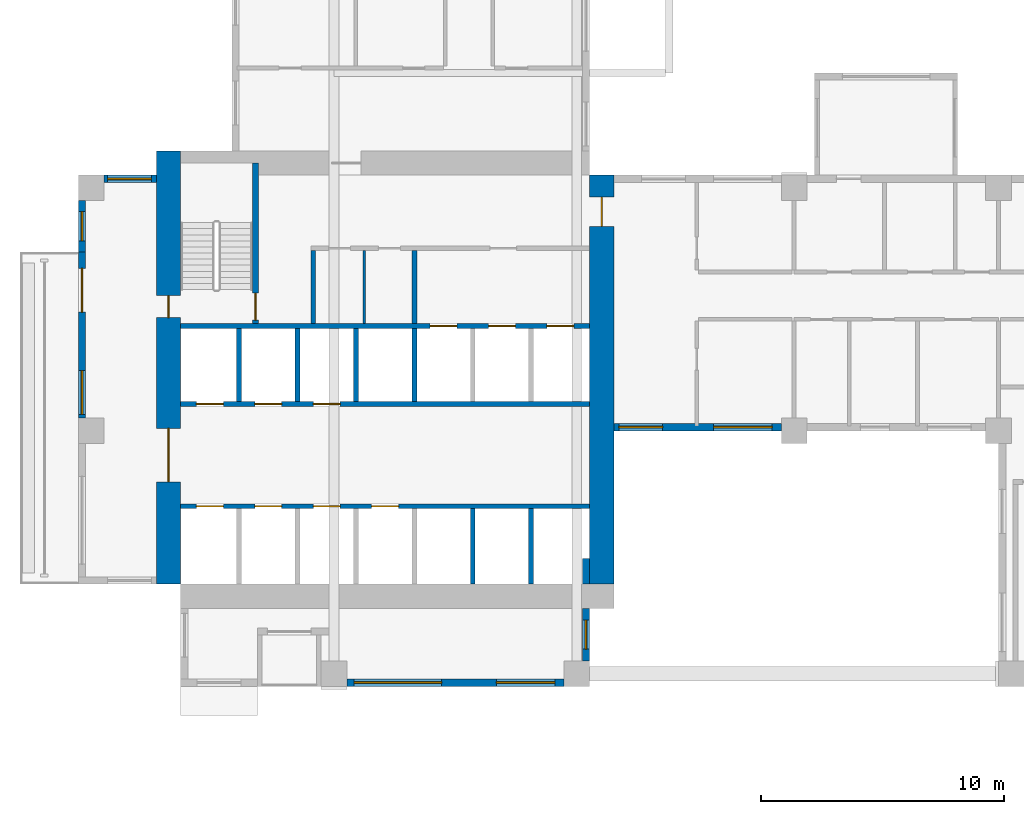
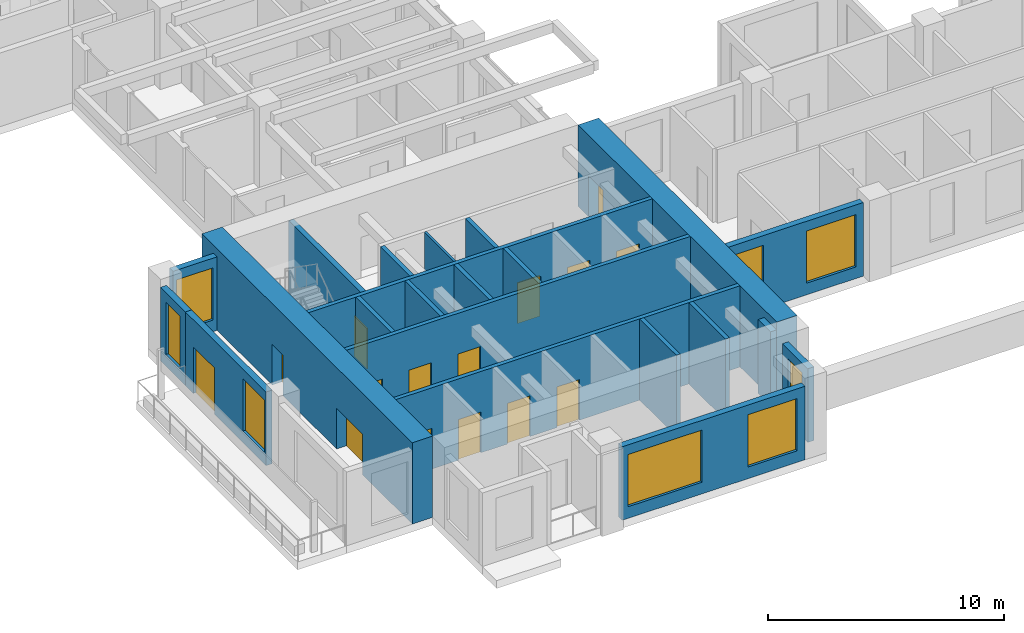
# One storey, part 2 of 14: 22 walls, 15 doors, 8 windows, 23 openings.
"""IFC4 building model written with IfcOpenShell, lengths in metres."""

from ifc_helpers import new_model, si_unit, direction, frame, frame_2d, origin, place, context, subcontext, project, spatial, rectangle, extrude, source, transform, mapped, material, layer, layer_set, type_object, element, fill, save


model = new_model("IFC4")

# Units and contexts
model_context = context("Model", 3, precision=1e-05, world=origin(), true_north=direction((0.0, 1.0)))
body_context = subcontext(model_context, "Body", "Model", "MODEL_VIEW")
ifc_project = project(units=[si_unit("LENGTHUNIT", "METRE"), si_unit("AREAUNIT", "SQUARE_METRE"), si_unit("VOLUMEUNIT", "CUBIC_METRE"), si_unit("PLANEANGLEUNIT", "RADIAN"), si_unit("MASSUNIT", "GRAM", prefix="KILO")], contexts=[model_context])

# Site, building, storey
site_placement = place(None, origin())
site = spatial("IfcSite", under=ifc_project, at=site_placement, CompositionType="ELEMENT")
building_placement = place(site_placement, origin())
building = spatial("IfcBuilding", under=site, at=building_placement, Name="Aurelian Terraces", CompositionType="ELEMENT")
storey_placement = place(building_placement, frame((0.0, 0.0, 103.5)))
storey = spatial("IfcBuildingStorey", under=building, at=storey_placement, Name="L22", CompositionType="ELEMENT", Elevation=103.5)

# Wall, openings, doors
ifc_material_1 = material(Name="Concrete fc' 83 MPa", Category="concrete")
ifc_layer_1 = layer(ifc_material_1, 1.0)
ifc_layer_set_1 = layer_set([ifc_layer_1], Name="CORE WALL 1000 FC83")
wall_type_1 = type_object("IfcWallType", Name="CORE WALL 1000 FC83", PredefinedType="SHEAR", material=ifc_layer_set_1)
wall_1_placement = place(storey_placement, frame((3.7, 4.2, 0.0), z_axis=(0.0, 0.0, 1.0), x_axis=(0.0, 1.0, 0.0)))
wall_1 = element("IfcWall", 1, at=wall_1_placement, inside=storey, type_object=wall_type_1, Name="Core wall W L22", PredefinedType="SHEAR", context=body_context, shape_type="SweptSolid", body=[
    extrude(rectangle(XDim=17.8, YDim=1.0, at=frame_2d((8.9, 0.0))), origin(), (0.0, 0.0, 1.0), 4.2),
])
opening_1_placement = place(wall_1_placement, frame((4.2, 0.0, 0.0)))
opening_1 = element("IfcOpeningElement", 2, at=opening_1_placement, cuts=wall_1, Name="Opening 62520", PredefinedType="OPENING", context=body_context, shape_type="SweptSolid", body=[
    extrude(rectangle(XDim=2.2, YDim=2.1, at=frame_2d((1.1, 1.05))), frame((0.0, 0.51, 0.0), z_axis=(0.0, -1.0, 0.0), x_axis=(1.0, 0.0, 0.0)), (0.0, 0.0, 1.0), 1.02),
])
opening_2_placement = place(wall_1_placement, frame((10.95, 0.0, 0.0)))
opening_2 = element("IfcOpeningElement", 3, at=opening_2_placement, cuts=wall_1, Name="Opening 62523", PredefinedType="OPENING", context=body_context, shape_type="SweptSolid", body=[
    extrude(rectangle(XDim=0.9, YDim=2.1, at=frame_2d((0.45, 1.05))), frame((0.0, 0.51, 0.0), z_axis=(0.0, -1.0, 0.0), x_axis=(1.0, 0.0, 0.0)), (0.0, 0.0, 1.0), 1.02),
])
ifc_material_2 = material(Name="Steel door leaf", Category="steel")
door_type_1 = type_object("IfcDoorType", Name="Core service door 900x2100", OperationType="SINGLE_SWING_LEFT", PredefinedType="DOOR", material=ifc_material_2)
shared_shape_1 = source(origin(), body_context, "Body", "SweptSolid", [
    extrude(rectangle(XDim=0.9, YDim=2.1, at=frame_2d((0.45, 1.05))), frame((0.0, 0.025, 0.0), z_axis=(0.0, -1.0, 0.0), x_axis=(1.0, 0.0, 0.0)), (0.0, 0.0, 1.0), 0.05),
])
door_1_placement = place(opening_2_placement, origin())
door_1 = element("IfcDoor", 4, at=door_1_placement, inside=storey, type_object=door_type_1, Name="Core door 62523", OperationType="SINGLE_SWING_LEFT", OverallHeight=2.1, OverallWidth=0.9, PredefinedType="DOOR", context=body_context, shape_type="MappedRepresentation", body=[
    mapped(shared_shape_1, transform((0.0, 0.0, 0.0), scale=1.0)),
])
fill(opening_2, door_1)
door_type_2 = type_object("IfcDoorType", Name="Core double door 2200x2100", OperationType="DOUBLE_DOOR_SINGLE_SWING", PredefinedType="DOOR", material=ifc_material_2)
shared_shape_2 = source(origin(), body_context, "Body", "SweptSolid", [
    extrude(rectangle(XDim=2.2, YDim=2.1, at=frame_2d((1.1, 1.05))), frame((0.0, 0.025, 0.0), z_axis=(0.0, -1.0, 0.0), x_axis=(1.0, 0.0, 0.0)), (0.0, 0.0, 1.0), 0.05),
])
door_2_placement = place(opening_1_placement, origin())
door_2 = element("IfcDoor", 5, at=door_2_placement, inside=storey, type_object=door_type_2, Name="Core door 62520", OperationType="DOUBLE_DOOR_SINGLE_SWING", OverallHeight=2.1, OverallWidth=2.2, PredefinedType="DOOR", context=body_context, shape_type="MappedRepresentation", body=[
    mapped(shared_shape_2, transform((0.0, 0.0, 0.0), scale=1.0)),
])
fill(opening_1, door_2)

# Wall, opening, door
wall_2_placement = place(storey_placement, frame((21.5, 4.2, 0.0), z_axis=(0.0, 0.0, 1.0), x_axis=(0.0, 1.0, 0.0)))
wall_2 = element("IfcWall", 6, at=wall_2_placement, inside=storey, type_object=wall_type_1, Name="Core wall E L22", PredefinedType="SHEAR", context=body_context, shape_type="SweptSolid", body=[
    extrude(rectangle(XDim=16.8, YDim=1.0, at=frame_2d((8.4, 0.0))), origin(), (0.0, 0.0, 1.0), 4.2),
])
shared_shape_3 = source(origin(), body_context, "Body", "SweptSolid", [
    extrude(rectangle(XDim=1.2, YDim=2.1, at=frame_2d((0.6, 1.05))), frame((0.0, 0.51, 0.0), z_axis=(0.0, -1.0, 0.0), x_axis=(1.0, 0.0, 0.0)), (0.0, 0.0, 1.0), 1.02),
])
opening_3_placement = place(wall_2_placement, frame((14.7, 0.0, 0.0)))
opening_3 = element("IfcOpeningElement", 7, at=opening_3_placement, cuts=wall_2, Name="Opening 62522", PredefinedType="OPENING", context=body_context, shape_type="MappedRepresentation", body=[
    mapped(shared_shape_3, transform((0.0, 0.0, 0.0), scale=1.0)),
])
door_type_3 = type_object("IfcDoorType", Name="Core fire door 1200x2100 right", OperationType="SINGLE_SWING_RIGHT", PredefinedType="DOOR", material=ifc_material_2)
shared_shape_4 = source(origin(), body_context, "Body", "SweptSolid", [
    extrude(rectangle(XDim=1.2, YDim=2.1, at=frame_2d((0.6, 1.05))), frame((0.0, 0.025, 0.0), z_axis=(0.0, -1.0, 0.0), x_axis=(1.0, 0.0, 0.0)), (0.0, 0.0, 1.0), 0.05),
])
door_3_placement = place(opening_3_placement, origin())
door_3 = element("IfcDoor", 8, at=door_3_placement, inside=storey, type_object=door_type_3, Name="Core door 62522", OperationType="SINGLE_SWING_RIGHT", OverallHeight=2.1, OverallWidth=1.2, PredefinedType="DOOR", context=body_context, shape_type="MappedRepresentation", body=[
    mapped(shared_shape_4, transform((0.0, 0.0, 0.0), scale=1.0)),
])
fill(opening_3, door_3)

# Wall, openings, windows
ifc_material_3 = material(Name="Terracotta rainscreen cladding", Category="masonry")
ifc_layer_2 = layer(ifc_material_3, 0.3)
ifc_layer_set_2 = layer_set([ifc_layer_2], Name="EW-300")
wall_type_2 = type_object("IfcWallType", Name="EW-300", PredefinedType="STANDARD", material=ifc_layer_set_2)
wall_3_placement = place(storey_placement, frame((11.025, 0.15, 0.0), z_axis=(0.0, 0.0, 1.0), x_axis=(1.0, 0.0, 0.0)))
wall_3 = element("IfcWall", 9, at=wall_3_placement, inside=storey, type_object=wall_type_2, Name="External wall L22 F01.3", PredefinedType="STANDARD", context=body_context, shape_type="SweptSolid", body=[
    extrude(rectangle(XDim=8.925, YDim=0.3, at=frame_2d((4.4625, 0.0))), origin(), (0.0, 0.0, 1.0), 3.8),
])
shared_shape_5 = source(origin(), body_context, "Body", "SweptSolid", [
    extrude(rectangle(XDim=3.6, YDim=2.7, at=frame_2d((1.8, 1.35))), frame((0.0, 0.16, 0.0), z_axis=(0.0, -1.0, 0.0), x_axis=(1.0, 0.0, 0.0)), (0.0, 0.0, 1.0), 0.32),
])
opening_4_placement = place(wall_3_placement, frame((0.3, 0.0, 0.6)))
opening_4 = element("IfcOpeningElement", 10, at=opening_4_placement, cuts=wall_3, Name="Opening W3627", PredefinedType="OPENING", context=body_context, shape_type="MappedRepresentation", body=[
    mapped(shared_shape_5, transform((0.0, 0.0, 0.0), scale=1.0)),
])
shared_shape_6 = source(origin(), body_context, "Body", "SweptSolid", [
    extrude(rectangle(XDim=2.4, YDim=2.7, at=frame_2d((1.2, 1.35))), frame((0.0, 0.16, 0.0), z_axis=(0.0, -1.0, 0.0), x_axis=(1.0, 0.0, 0.0)), (0.0, 0.0, 1.0), 0.32),
])
opening_5_placement = place(wall_3_placement, frame((6.15, 0.0, 0.6)))
opening_5 = element("IfcOpeningElement", 11, at=opening_5_placement, cuts=wall_3, Name="Opening W2427", PredefinedType="OPENING", context=body_context, shape_type="MappedRepresentation", body=[
    mapped(shared_shape_6, transform((0.0, 0.0, 0.0), scale=1.0)),
])
ifc_material_4 = material(Name="Clear glazing", Category="glass")
window_type_1 = type_object("IfcWindowType", Name="W-3600x2700", PartitioningType="SINGLE_PANEL", PredefinedType="WINDOW", material=ifc_material_4)
shared_shape_7 = source(origin(), body_context, "Body", "SweptSolid", [
    extrude(rectangle(XDim=3.6, YDim=2.7, at=frame_2d((1.8, 1.35))), frame((0.0, 0.03, 0.0), z_axis=(0.0, -1.0, 0.0), x_axis=(1.0, 0.0, 0.0)), (0.0, 0.0, 1.0), 0.06),
])
window_1_placement = place(opening_4_placement, origin())
window_1 = element("IfcWindow", 12, at=window_1_placement, inside=storey, type_object=window_type_1, Name="Window L22 L22-F01-03-0", OverallHeight=2.7, OverallWidth=3.6, PartitioningType="SINGLE_PANEL", PredefinedType="WINDOW", context=body_context, shape_type="MappedRepresentation", body=[
    mapped(shared_shape_7, transform((0.0, 0.0, 0.0), scale=1.0)),
])
fill(opening_4, window_1)
window_type_2 = type_object("IfcWindowType", Name="W-2400x2700", PartitioningType="SINGLE_PANEL", PredefinedType="WINDOW", material=ifc_material_4)
shared_shape_8 = source(origin(), body_context, "Body", "SweptSolid", [
    extrude(rectangle(XDim=2.4, YDim=2.7, at=frame_2d((1.2, 1.35))), frame((0.0, 0.03, 0.0), z_axis=(0.0, -1.0, 0.0), x_axis=(1.0, 0.0, 0.0)), (0.0, 0.0, 1.0), 0.06),
])
window_2_placement = place(opening_5_placement, origin())
window_2 = element("IfcWindow", 13, at=window_2_placement, inside=storey, type_object=window_type_2, Name="Window L22 L22-F01-03-1", OverallHeight=2.7, OverallWidth=2.4, PartitioningType="SINGLE_PANEL", PredefinedType="WINDOW", context=body_context, shape_type="MappedRepresentation", body=[
    mapped(shared_shape_8, transform((0.0, 0.0, 0.0), scale=1.0)),
])
fill(opening_5, window_2)

# Wall, opening, window
wall_4_placement = place(storey_placement, frame((20.85, 1.05, 0.0), z_axis=(0.0, 0.0, 1.0), x_axis=(0.0, 1.0, 0.0)))
wall_4 = element("IfcWall", 14, at=wall_4_placement, inside=storey, type_object=wall_type_2, Name="External wall L22 F02.4", PredefinedType="STANDARD", context=body_context, shape_type="SweptSolid", body=[
    extrude(rectangle(XDim=2.15, YDim=0.3, at=frame_2d((1.075, 0.0))), origin(), (0.0, 0.0, 1.0), 3.8),
])
shared_shape_9 = source(origin(), body_context, "Body", "SweptSolid", [
    extrude(rectangle(XDim=1.2, YDim=2.7, at=frame_2d((0.6, 1.35))), frame((0.0, 0.16, 0.0), z_axis=(0.0, -1.0, 0.0), x_axis=(1.0, 0.0, 0.0)), (0.0, 0.0, 1.0), 0.32),
])
opening_6_placement = place(wall_4_placement, frame((0.475, 0.0, 0.6)))
opening_6 = element("IfcOpeningElement", 15, at=opening_6_placement, cuts=wall_4, Name="Opening W1227", PredefinedType="OPENING", context=body_context, shape_type="MappedRepresentation", body=[
    mapped(shared_shape_9, transform((0.0, 0.0, 0.0), scale=1.0)),
])
window_type_3 = type_object("IfcWindowType", Name="W-1200x2700", PartitioningType="SINGLE_PANEL", PredefinedType="WINDOW", material=ifc_material_4)
shared_shape_10 = source(origin(), body_context, "Body", "SweptSolid", [
    extrude(rectangle(XDim=1.2, YDim=2.7, at=frame_2d((0.6, 1.35))), frame((0.0, 0.03, 0.0), z_axis=(0.0, -1.0, 0.0), x_axis=(1.0, 0.0, 0.0)), (0.0, 0.0, 1.0), 0.06),
])
window_3_placement = place(opening_6_placement, origin())
window_3 = element("IfcWindow", 16, at=window_3_placement, inside=storey, type_object=window_type_3, Name="Window L22 L22-F02-04-P0", OverallHeight=2.7, OverallWidth=1.2, PartitioningType="SINGLE_PANEL", PredefinedType="WINDOW", context=body_context, shape_type="MappedRepresentation", body=[
    mapped(shared_shape_10, transform((0.0, 0.0, 0.0), scale=1.0)),
])
fill(opening_6, window_3)

# Wall, openings, windows
wall_5_placement = place(storey_placement, frame((22.0, 10.65, 0.0), z_axis=(0.0, 0.0, 1.0), x_axis=(1.0, 0.0, 0.0)))
wall_5 = element("IfcWall", 17, at=wall_5_placement, inside=storey, type_object=wall_type_2, Name="External wall L22 F03.6", PredefinedType="STANDARD", context=body_context, shape_type="SweptSolid", body=[
    extrude(rectangle(XDim=6.875, YDim=0.3, at=frame_2d((3.4375, 0.0))), origin(), (0.0, 0.0, 1.0), 3.8),
])
shared_shape_11 = source(origin(), body_context, "Body", "SweptSolid", [
    extrude(rectangle(XDim=1.8, YDim=2.7, at=frame_2d((0.9, 1.35))), frame((0.0, 0.16, 0.0), z_axis=(0.0, -1.0, 0.0), x_axis=(1.0, 0.0, 0.0)), (0.0, 0.0, 1.0), 0.32),
])
opening_7_placement = place(wall_5_placement, frame((0.2, 0.0, 0.6)))
opening_7 = element("IfcOpeningElement", 18, at=opening_7_placement, cuts=wall_5, Name="Opening W1827", PredefinedType="OPENING", context=body_context, shape_type="MappedRepresentation", body=[
    mapped(shared_shape_11, transform((0.0, 0.0, 0.0), scale=1.0)),
])
opening_8_placement = place(wall_5_placement, frame((4.1, 0.0, 0.6)))
opening_8 = element("IfcOpeningElement", 19, at=opening_8_placement, cuts=wall_5, Name="Opening W2427", PredefinedType="OPENING", context=body_context, shape_type="MappedRepresentation", body=[
    mapped(shared_shape_6, transform((0.0, 0.0, 0.0), scale=1.0)),
])
window_4_placement = place(opening_8_placement, origin())
window_4 = element("IfcWindow", 20, at=window_4_placement, inside=storey, type_object=window_type_2, Name="Window L22 L22-F03-06-1", OverallHeight=2.7, OverallWidth=2.4, PartitioningType="SINGLE_PANEL", PredefinedType="WINDOW", context=body_context, shape_type="MappedRepresentation", body=[
    mapped(shared_shape_8, transform((0.0, 0.0, 0.0), scale=1.0)),
])
fill(opening_8, window_4)
window_type_4 = type_object("IfcWindowType", Name="W-1800x2700", PartitioningType="SINGLE_PANEL", PredefinedType="WINDOW", material=ifc_material_4)
shared_shape_12 = source(origin(), body_context, "Body", "SweptSolid", [
    extrude(rectangle(XDim=1.8, YDim=2.7, at=frame_2d((0.9, 1.35))), frame((0.0, 0.03, 0.0), z_axis=(0.0, -1.0, 0.0), x_axis=(1.0, 0.0, 0.0)), (0.0, 0.0, 1.0), 0.06),
])
window_5_placement = place(opening_7_placement, origin())
window_5 = element("IfcWindow", 21, at=window_5_placement, inside=storey, type_object=window_type_4, Name="Window L22 L22-F03-06-0", OverallHeight=2.7, OverallWidth=1.8, PartitioningType="SINGLE_PANEL", PredefinedType="WINDOW", context=body_context, shape_type="MappedRepresentation", body=[
    mapped(shared_shape_12, transform((0.0, 0.0, 0.0), scale=1.0)),
])
fill(opening_7, window_5)

# Wall, openings, door, window
wall_6_placement = place(storey_placement, frame((0.15, 17.85, 0.0), z_axis=(0.0, 0.0, 1.0), x_axis=(0.0, -1.0, 0.0)))
wall_6 = element("IfcWall", 22, at=wall_6_placement, inside=storey, type_object=wall_type_2, Name="External wall L22 F24.41", PredefinedType="STANDARD", context=body_context, shape_type="SweptSolid", body=[
    extrude(rectangle(XDim=6.825, YDim=0.3, at=frame_2d((3.4125, 0.0))), origin(), (0.0, 0.0, 1.0), 3.8),
])
shared_shape_13 = source(origin(), body_context, "Body", "SweptSolid", [
    extrude(rectangle(XDim=1.8, YDim=2.4, at=frame_2d((0.9, 1.2))), frame((0.0, 0.16, 0.0), z_axis=(0.0, -1.0, 0.0), x_axis=(1.0, 0.0, 0.0)), (0.0, 0.0, 1.0), 0.32),
])
opening_9_placement = place(wall_6_placement, frame((0.675, 0.0, 0.0)))
opening_9 = element("IfcOpeningElement", 23, at=opening_9_placement, cuts=wall_6, Name="Opening 82203", PredefinedType="OPENING", context=body_context, shape_type="MappedRepresentation", body=[
    mapped(shared_shape_13, transform((0.0, 0.0, 0.0), scale=1.0)),
])
opening_10_placement = place(wall_6_placement, frame((4.875, 0.0, 0.6)))
opening_10 = element("IfcOpeningElement", 24, at=opening_10_placement, cuts=wall_6, Name="Opening W1827", PredefinedType="OPENING", context=body_context, shape_type="MappedRepresentation", body=[
    mapped(shared_shape_11, transform((0.0, 0.0, 0.0), scale=1.0)),
])
door_type_4 = type_object("IfcDoorType", Name="BD-1800x2400", OperationType="SLIDING_TO_LEFT", PredefinedType="DOOR", material=ifc_material_4)
shared_shape_14 = source(origin(), body_context, "Body", "SweptSolid", [
    extrude(rectangle(XDim=1.8, YDim=2.4, at=frame_2d((0.9, 1.2))), frame((0.0, 0.025, 0.0), z_axis=(0.0, -1.0, 0.0), x_axis=(1.0, 0.0, 0.0)), (0.0, 0.0, 1.0), 0.05),
])
door_4_placement = place(opening_9_placement, origin())
door_4 = element("IfcDoor", 25, at=door_4_placement, inside=storey, type_object=door_type_4, Name="Balcony door L22 F24.41", OperationType="SLIDING_TO_LEFT", OverallHeight=2.4, OverallWidth=1.8, PredefinedType="DOOR", context=body_context, shape_type="MappedRepresentation", body=[
    mapped(shared_shape_14, transform((0.0, 0.0, 0.0), scale=1.0)),
])
fill(opening_9, door_4)
window_6_placement = place(opening_10_placement, origin())
window_6 = element("IfcWindow", 26, at=window_6_placement, inside=storey, type_object=window_type_4, Name="Window L22 L22-F24-41-1", OverallHeight=2.7, OverallWidth=1.8, PartitioningType="SINGLE_PANEL", PredefinedType="WINDOW", context=body_context, shape_type="MappedRepresentation", body=[
    mapped(shared_shape_12, transform((0.0, 0.0, 0.0), scale=1.0)),
])
fill(opening_10, window_6)

# Wall
shared_shape_15 = source(origin(), body_context, "Body", "SweptSolid", [
    extrude(rectangle(XDim=1.05, YDim=0.3, at=frame_2d((0.525, 0.0))), origin(), (0.0, 0.0, 1.0), 3.8),
])
wall_7_placement = place(storey_placement, frame((20.85, 4.2, 0.0), z_axis=(0.0, 0.0, 1.0), x_axis=(0.0, 1.0, 0.0)))
element("IfcWall", 27, at=wall_7_placement, inside=storey, type_object=wall_type_2, Name="External wall L22 F02.4", PredefinedType="STANDARD", context=body_context, shape_type="MappedRepresentation", body=[
    mapped(shared_shape_15, transform((0.0, 0.0, 0.0), scale=1.0)),
])

# Wall, opening, window
shared_shape_16 = source(origin(), body_context, "Body", "SweptSolid", [
    extrude(rectangle(XDim=2.15, YDim=0.3, at=frame_2d((1.075, 0.0))), origin(), (0.0, 0.0, 1.0), 3.8),
])
wall_8_placement = place(storey_placement, frame((3.2, 20.85, 0.0), z_axis=(0.0, 0.0, 1.0), x_axis=(-1.0, 0.0, 0.0)))
wall_8 = element("IfcWall", 28, at=wall_8_placement, inside=storey, type_object=wall_type_2, Name="External wall L22 F23.39", PredefinedType="STANDARD", context=body_context, shape_type="MappedRepresentation", body=[
    mapped(shared_shape_16, transform((0.0, 0.0, 0.0), scale=1.0)),
])
opening_11_placement = place(wall_8_placement, frame((0.2, 0.0, 0.6)))
opening_11 = element("IfcOpeningElement", 29, at=opening_11_placement, cuts=wall_8, Name="Opening W1827", PredefinedType="OPENING", context=body_context, shape_type="MappedRepresentation", body=[
    mapped(shared_shape_11, transform((0.0, 0.0, 0.0), scale=1.0)),
])
window_7_placement = place(opening_11_placement, origin())
window_7 = element("IfcWindow", 30, at=window_7_placement, inside=storey, type_object=window_type_4, Name="Window L22 L22-F23-39-0", OverallHeight=2.7, OverallWidth=1.8, PartitioningType="SINGLE_PANEL", PredefinedType="WINDOW", context=body_context, shape_type="MappedRepresentation", body=[
    mapped(shared_shape_12, transform((0.0, 0.0, 0.0), scale=1.0)),
])
fill(opening_11, window_7)

shared_shape_17 = source(origin(), body_context, "Body", "SweptSolid", [
    extrude(rectangle(XDim=2.1, YDim=0.3, at=frame_2d((1.05, 0.0))), origin(), (0.0, 0.0, 1.0), 3.8),
])
wall_9_placement = place(storey_placement, frame((0.15, 19.95, 0.0), z_axis=(0.0, 0.0, 1.0), x_axis=(0.0, -1.0, 0.0)))
wall_9 = element("IfcWall", 31, at=wall_9_placement, inside=storey, type_object=wall_type_2, Name="External wall L22 F24.40", PredefinedType="STANDARD", context=body_context, shape_type="MappedRepresentation", body=[
    mapped(shared_shape_17, transform((0.0, 0.0, 0.0), scale=1.0)),
])
opening_12_placement = place(wall_9_placement, frame((0.45, 0.0, 0.6)))
opening_12 = element("IfcOpeningElement", 32, at=opening_12_placement, cuts=wall_9, Name="Opening W1227", PredefinedType="OPENING", context=body_context, shape_type="MappedRepresentation", body=[
    mapped(shared_shape_9, transform((0.0, 0.0, 0.0), scale=1.0)),
])
window_8_placement = place(opening_12_placement, origin())
window_8 = element("IfcWindow", 33, at=window_8_placement, inside=storey, type_object=window_type_3, Name="Window L22 L22-F24-40-P0", OverallHeight=2.7, OverallWidth=1.2, PartitioningType="SINGLE_PANEL", PredefinedType="WINDOW", context=body_context, shape_type="MappedRepresentation", body=[
    mapped(shared_shape_10, transform((0.0, 0.0, 0.0), scale=1.0)),
])
fill(opening_12, window_8)

# Walls
ifc_material_5 = material(Name="Concrete fc' 40 MPa", Category="concrete")
ifc_layer_3 = layer(ifc_material_5, 0.2)
ifc_layer_set_3 = layer_set([ifc_layer_3], Name="Lift shaft wall 200")
wall_type_3 = type_object("IfcWallType", Name="Lift shaft wall 200", PredefinedType="SOLIDWALL", material=ifc_layer_set_3)
shared_shape_18 = source(origin(), body_context, "Body", "SweptSolid", [
    extrude(rectangle(XDim=3.1, YDim=0.2, at=frame_2d((1.55, 0.0))), origin(), (0.0, 0.0, 1.0), 4.2),
])
for number, where, z_axis, x_axis, name in (
    (34, (16.2, 4.2, 0.0), (0.0, 0.0, 1.0), (0.0, 1.0, 0.0), "L22 core wall CD-A5"),
    (35, (18.6, 4.2, 0.0), (0.0, 0.0, 1.0), (0.0, 1.0, 0.0), "L22 core wall CD-A6"),
):
    element("IfcWall", number, at=place(storey_placement, frame(where, z_axis=z_axis, x_axis=x_axis)), inside=storey, type_object=wall_type_3, Name=name, PredefinedType="SOLIDWALL", context=body_context, shape_type="MappedRepresentation", body=[
        mapped(shared_shape_18, transform((0.0, 0.0, 0.0), scale=1.0)),
    ])
shared_shape_19 = source(origin(), body_context, "Body", "SweptSolid", [
    extrude(rectangle(XDim=3.0, YDim=0.2, at=frame_2d((1.5, 0.0))), origin(), (0.0, 0.0, 1.0), 4.2),
])
for number, where, z_axis, x_axis, name in (
    (36, (6.6, 11.7, 0.0), (0.0, 0.0, 1.0), (0.0, 1.0, 0.0), "L22 core wall CD-B1"),
    (37, (9.0, 11.7, 0.0), (0.0, 0.0, 1.0), (0.0, 1.0, 0.0), "L22 core wall CD-B2"),
    (38, (11.4, 11.7, 0.0), (0.0, 0.0, 1.0), (0.0, 1.0, 0.0), "L22 core wall CD-B3"),
    (39, (13.8, 11.7, 0.0), (0.0, 0.0, 1.0), (0.0, 1.0, 0.0), "L22 core wall CD-B4"),
):
    element("IfcWall", number, at=place(storey_placement, frame(where, z_axis=z_axis, x_axis=x_axis)), inside=storey, type_object=wall_type_3, Name=name, PredefinedType="SOLIDWALL", context=body_context, shape_type="MappedRepresentation", body=[
        mapped(shared_shape_19, transform((0.0, 0.0, 0.0), scale=1.0)),
    ])

# Wall, openings, doors
shared_shape_20 = source(origin(), body_context, "Body", "SweptSolid", [
    extrude(rectangle(XDim=16.8, YDim=0.2, at=frame_2d((8.4, 0.0))), origin(), (0.0, 0.0, 1.0), 4.2),
])
wall_10_placement = place(storey_placement, frame((4.2, 7.4, 0.0), z_axis=(0.0, 0.0, 1.0), x_axis=(1.0, 0.0, 0.0)))
wall_10 = element("IfcWall", 40, at=wall_10_placement, inside=storey, type_object=wall_type_3, Name="L22 core wall CF-AF1", PredefinedType="SOLIDWALL", context=body_context, shape_type="MappedRepresentation", body=[
    mapped(shared_shape_20, transform((0.0, 0.0, 0.0), scale=1.0)),
])
shared_shape_21 = source(origin(), body_context, "Body", "SweptSolid", [
    extrude(rectangle(XDim=1.1, YDim=2.1, at=frame_2d((0.55, 1.05))), frame((0.0, 0.11, 0.0), z_axis=(0.0, -1.0, 0.0), x_axis=(1.0, 0.0, 0.0)), (0.0, 0.0, 1.0), 0.22),
])
opening_13_placement = place(wall_10_placement, frame((0.65, 0.0, 0.0)))
opening_13 = element("IfcOpeningElement", 41, at=opening_13_placement, cuts=wall_10, Name="Opening 62500", PredefinedType="OPENING", context=body_context, shape_type="MappedRepresentation", body=[
    mapped(shared_shape_21, transform((0.0, 0.0, 0.0), scale=1.0)),
])
opening_14_placement = place(wall_10_placement, frame((3.05, 0.0, 0.0)))
opening_14 = element("IfcOpeningElement", 42, at=opening_14_placement, cuts=wall_10, Name="Opening 62501", PredefinedType="OPENING", context=body_context, shape_type="MappedRepresentation", body=[
    mapped(shared_shape_21, transform((0.0, 0.0, 0.0), scale=1.0)),
])
opening_15_placement = place(wall_10_placement, frame((5.45, 0.0, 0.0)))
opening_15 = element("IfcOpeningElement", 43, at=opening_15_placement, cuts=wall_10, Name="Opening 62502", PredefinedType="OPENING", context=body_context, shape_type="MappedRepresentation", body=[
    mapped(shared_shape_21, transform((0.0, 0.0, 0.0), scale=1.0)),
])
opening_16_placement = place(wall_10_placement, frame((7.85, 0.0, 0.0)))
opening_16 = element("IfcOpeningElement", 44, at=opening_16_placement, cuts=wall_10, Name="Opening 62503", PredefinedType="OPENING", context=body_context, shape_type="MappedRepresentation", body=[
    mapped(shared_shape_21, transform((0.0, 0.0, 0.0), scale=1.0)),
])
ifc_material_6 = material(Name="Stainless steel", Category="steel")
door_type_5 = type_object("IfcDoorType", Name="Lift landing door 1100x2100", OperationType="SLIDING_TO_LEFT", PredefinedType="DOOR", material=ifc_material_6)
shared_shape_22 = source(origin(), body_context, "Body", "SweptSolid", [
    extrude(rectangle(XDim=1.1, YDim=2.1, at=frame_2d((0.55, 1.05))), frame((0.0, 0.025, 0.0), z_axis=(0.0, -1.0, 0.0), x_axis=(1.0, 0.0, 0.0)), (0.0, 0.0, 1.0), 0.05),
])
door_5_placement = place(opening_13_placement, origin())
door_5 = element("IfcDoor", 45, at=door_5_placement, inside=storey, type_object=door_type_5, Name="Lift landing door LL1 L22", OperationType="SLIDING_TO_LEFT", OverallHeight=2.1, OverallWidth=1.1, PredefinedType="DOOR", context=body_context, shape_type="MappedRepresentation", body=[
    mapped(shared_shape_22, transform((0.0, 0.0, 0.0), scale=1.0)),
])
fill(opening_13, door_5)
door_6_placement = place(opening_14_placement, origin())
door_6 = element("IfcDoor", 46, at=door_6_placement, inside=storey, type_object=door_type_5, Name="Lift landing door LL2 L22", OperationType="SLIDING_TO_LEFT", OverallHeight=2.1, OverallWidth=1.1, PredefinedType="DOOR", context=body_context, shape_type="MappedRepresentation", body=[
    mapped(shared_shape_22, transform((0.0, 0.0, 0.0), scale=1.0)),
])
fill(opening_14, door_6)
door_7_placement = place(opening_15_placement, origin())
door_7 = element("IfcDoor", 47, at=door_7_placement, inside=storey, type_object=door_type_5, Name="Lift landing door LL3 L22", OperationType="SLIDING_TO_LEFT", OverallHeight=2.1, OverallWidth=1.1, PredefinedType="DOOR", context=body_context, shape_type="MappedRepresentation", body=[
    mapped(shared_shape_22, transform((0.0, 0.0, 0.0), scale=1.0)),
])
fill(opening_15, door_7)
door_8_placement = place(opening_16_placement, origin())
door_8 = element("IfcDoor", 48, at=door_8_placement, inside=storey, type_object=door_type_5, Name="Lift landing door LL4 L22", OperationType="SLIDING_TO_LEFT", OverallHeight=2.1, OverallWidth=1.1, PredefinedType="DOOR", context=body_context, shape_type="MappedRepresentation", body=[
    mapped(shared_shape_22, transform((0.0, 0.0, 0.0), scale=1.0)),
])
fill(opening_16, door_8)

wall_11_placement = place(storey_placement, frame((4.2, 11.6, 0.0), z_axis=(0.0, 0.0, 1.0), x_axis=(1.0, 0.0, 0.0)))
wall_11 = element("IfcWall", 49, at=wall_11_placement, inside=storey, type_object=wall_type_3, Name="L22 core wall CF-BF1", PredefinedType="SOLIDWALL", context=body_context, shape_type="MappedRepresentation", body=[
    mapped(shared_shape_20, transform((0.0, 0.0, 0.0), scale=1.0)),
])
opening_17_placement = place(wall_11_placement, frame((0.65, 0.0, 0.0)))
opening_17 = element("IfcOpeningElement", 50, at=opening_17_placement, cuts=wall_11, Name="Opening 62504", PredefinedType="OPENING", context=body_context, shape_type="MappedRepresentation", body=[
    mapped(shared_shape_21, transform((0.0, 0.0, 0.0), scale=1.0)),
])
opening_18_placement = place(wall_11_placement, frame((3.05, 0.0, 0.0)))
opening_18 = element("IfcOpeningElement", 51, at=opening_18_placement, cuts=wall_11, Name="Opening 62505", PredefinedType="OPENING", context=body_context, shape_type="MappedRepresentation", body=[
    mapped(shared_shape_21, transform((0.0, 0.0, 0.0), scale=1.0)),
])
opening_19_placement = place(wall_11_placement, frame((5.45, 0.0, 0.0)))
opening_19 = element("IfcOpeningElement", 52, at=opening_19_placement, cuts=wall_11, Name="Opening 62506", PredefinedType="OPENING", context=body_context, shape_type="MappedRepresentation", body=[
    mapped(shared_shape_21, transform((0.0, 0.0, 0.0), scale=1.0)),
])
door_9_placement = place(opening_17_placement, origin())
door_9 = element("IfcDoor", 53, at=door_9_placement, inside=storey, type_object=door_type_5, Name="Lift landing door LL5 L22", OperationType="SLIDING_TO_LEFT", OverallHeight=2.1, OverallWidth=1.1, PredefinedType="DOOR", context=body_context, shape_type="MappedRepresentation", body=[
    mapped(shared_shape_22, transform((0.0, 0.0, 0.0), scale=1.0)),
])
fill(opening_17, door_9)
door_10_placement = place(opening_18_placement, origin())
door_10 = element("IfcDoor", 54, at=door_10_placement, inside=storey, type_object=door_type_5, Name="Lift landing door LL6 L22", OperationType="SLIDING_TO_LEFT", OverallHeight=2.1, OverallWidth=1.1, PredefinedType="DOOR", context=body_context, shape_type="MappedRepresentation", body=[
    mapped(shared_shape_22, transform((0.0, 0.0, 0.0), scale=1.0)),
])
fill(opening_18, door_10)
door_11_placement = place(opening_19_placement, origin())
door_11 = element("IfcDoor", 55, at=door_11_placement, inside=storey, type_object=door_type_5, Name="Lift landing door LL7 L22", OperationType="SLIDING_TO_LEFT", OverallHeight=2.1, OverallWidth=1.1, PredefinedType="DOOR", context=body_context, shape_type="MappedRepresentation", body=[
    mapped(shared_shape_22, transform((0.0, 0.0, 0.0), scale=1.0)),
])
fill(opening_19, door_11)

wall_12_placement = place(storey_placement, frame((4.2, 14.8, 0.0), z_axis=(0.0, 0.0, 1.0), x_axis=(1.0, 0.0, 0.0)))
wall_12 = element("IfcWall", 56, at=wall_12_placement, inside=storey, type_object=wall_type_3, Name="L22 core wall CF-BB1", PredefinedType="SOLIDWALL", context=body_context, shape_type="MappedRepresentation", body=[
    mapped(shared_shape_20, transform((0.0, 0.0, 0.0), scale=1.0)),
])
opening_20_placement = place(wall_12_placement, frame((10.25, 0.0, 0.0)))
opening_20 = element("IfcOpeningElement", 57, at=opening_20_placement, cuts=wall_12, Name="Opening 62507", PredefinedType="OPENING", context=body_context, shape_type="MappedRepresentation", body=[
    mapped(shared_shape_21, transform((0.0, 0.0, 0.0), scale=1.0)),
])
opening_21_placement = place(wall_12_placement, frame((12.65, 0.0, 0.0)))
opening_21 = element("IfcOpeningElement", 58, at=opening_21_placement, cuts=wall_12, Name="Opening 62508", PredefinedType="OPENING", context=body_context, shape_type="MappedRepresentation", body=[
    mapped(shared_shape_21, transform((0.0, 0.0, 0.0), scale=1.0)),
])
opening_22_placement = place(wall_12_placement, frame((15.05, 0.0, 0.0)))
opening_22 = element("IfcOpeningElement", 59, at=opening_22_placement, cuts=wall_12, Name="Opening 62509", PredefinedType="OPENING", context=body_context, shape_type="MappedRepresentation", body=[
    mapped(shared_shape_21, transform((0.0, 0.0, 0.0), scale=1.0)),
])
door_12_placement = place(opening_20_placement, origin())
door_12 = element("IfcDoor", 60, at=door_12_placement, inside=storey, type_object=door_type_5, Name="Lift landing door F1 L22", OperationType="SLIDING_TO_LEFT", OverallHeight=2.1, OverallWidth=1.1, PredefinedType="DOOR", context=body_context, shape_type="MappedRepresentation", body=[
    mapped(shared_shape_22, transform((0.0, 0.0, 0.0), scale=1.0)),
])
fill(opening_20, door_12)
door_13_placement = place(opening_21_placement, origin())
door_13 = element("IfcDoor", 61, at=door_13_placement, inside=storey, type_object=door_type_5, Name="Lift landing door F2 L22", OperationType="SLIDING_TO_LEFT", OverallHeight=2.1, OverallWidth=1.1, PredefinedType="DOOR", context=body_context, shape_type="MappedRepresentation", body=[
    mapped(shared_shape_22, transform((0.0, 0.0, 0.0), scale=1.0)),
])
fill(opening_21, door_13)
door_14_placement = place(opening_22_placement, origin())
door_14 = element("IfcDoor", 62, at=door_14_placement, inside=storey, type_object=door_type_5, Name="Lift landing door F3 L22", OperationType="SLIDING_TO_LEFT", OverallHeight=2.1, OverallWidth=1.1, PredefinedType="DOOR", context=body_context, shape_type="MappedRepresentation", body=[
    mapped(shared_shape_22, transform((0.0, 0.0, 0.0), scale=1.0)),
])
fill(opening_22, door_14)

# Walls
ifc_material_7 = material(Name="Gypsum board on steel studs", Category="steel")
ifc_layer_4 = layer(ifc_material_7, 0.2)
ifc_layer_set_4 = layer_set([ifc_layer_4], Name="Core partition 200")
wall_type_4 = type_object("IfcWallType", Name="Core partition 200", PredefinedType="PARTITIONING", material=ifc_layer_set_4)
shared_shape_23 = source(origin(), body_context, "Body", "SweptSolid", [
    extrude(rectangle(XDim=3.0, YDim=0.2, at=frame_2d((1.5, 0.0))), origin(), (0.0, 0.0, 1.0), 3.8),
])
for number, where, z_axis, x_axis, name in (
    (63, (9.65, 14.9, 0.0), (0.0, 0.0, 1.0), (0.0, 1.0, 0.0), "L22 core wall CP-VEST"),
    (64, (13.8, 14.9, 0.0), (0.0, 0.0, 1.0), (0.0, 1.0, 0.0), "L22 core wall CP-FFL"),
):
    element("IfcWall", number, at=place(storey_placement, frame(where, z_axis=z_axis, x_axis=x_axis)), inside=storey, type_object=wall_type_4, Name=name, PredefinedType="PARTITIONING", context=body_context, shape_type="MappedRepresentation", body=[
        mapped(shared_shape_23, transform((0.0, 0.0, 0.0), scale=1.0)),
    ])
ifc_layer_5 = layer(ifc_material_7, 0.1)
ifc_layer_set_5 = layer_set([ifc_layer_5], Name="Core partition 100")
wall_type_5 = type_object("IfcWallType", Name="Core partition 100", PredefinedType="PARTITIONING", material=ifc_layer_set_5)
shared_shape_24 = source(origin(), body_context, "Body", "SweptSolid", [
    extrude(rectangle(XDim=3.0, YDim=0.1, at=frame_2d((1.5, 0.0))), origin(), (0.0, 0.0, 1.0), 3.8),
])
wall_13_placement = place(storey_placement, frame((11.75, 14.9, 0.0), z_axis=(0.0, 0.0, 1.0), x_axis=(0.0, 1.0, 0.0)))
element("IfcWall", 65, at=wall_13_placement, inside=storey, type_object=wall_type_5, Name="L22 core wall CP-SV1", PredefinedType="PARTITIONING", context=body_context, shape_type="MappedRepresentation", body=[
    mapped(shared_shape_24, transform((0.0, 0.0, 0.0), scale=1.0)),
])

# Wall, opening, door
ifc_layer_6 = layer(ifc_material_5, 0.25)
ifc_layer_set_6 = layer_set([ifc_layer_6], Name="Stair enclosure wall 250")
wall_type_6 = type_object("IfcWallType", Name="Stair enclosure wall 250", PredefinedType="SOLIDWALL", material=ifc_layer_set_6)
shared_shape_25 = source(origin(), body_context, "Body", "SweptSolid", [
    extrude(rectangle(XDim=6.6, YDim=0.25, at=frame_2d((3.3, 0.0))), origin(), (0.0, 0.0, 1.0), 3.8),
])
wall_14_placement = place(storey_placement, frame((7.275, 14.9, 0.0), z_axis=(0.0, 0.0, 1.0), x_axis=(0.0, 1.0, 0.0)))
wall_14 = element("IfcWall", 66, at=wall_14_placement, inside=storey, type_object=wall_type_6, Name="L22 core wall ST-S1-E", PredefinedType="SOLIDWALL", context=body_context, shape_type="MappedRepresentation", body=[
    mapped(shared_shape_25, transform((0.0, 0.0, 0.0), scale=1.0)),
])
shared_shape_26 = source(origin(), body_context, "Body", "SweptSolid", [
    extrude(rectangle(XDim=1.1, YDim=2.1, at=frame_2d((0.55, 1.05))), frame((0.0, 0.135, 0.0), z_axis=(0.0, -1.0, 0.0), x_axis=(1.0, 0.0, 0.0)), (0.0, 0.0, 1.0), 0.27),
])
opening_23_placement = place(wall_14_placement, frame((0.15, 0.0, 0.0)))
opening_23 = element("IfcOpeningElement", 67, at=opening_23_placement, cuts=wall_14, Name="Opening 62510", PredefinedType="OPENING", context=body_context, shape_type="MappedRepresentation", body=[
    mapped(shared_shape_26, transform((0.0, 0.0, 0.0), scale=1.0)),
])
door_type_6 = type_object("IfcDoorType", Name="Core fire door 1100x2100 right", OperationType="SINGLE_SWING_RIGHT", PredefinedType="DOOR", material=ifc_material_2)
door_15_placement = place(opening_23_placement, origin())
door_15 = element("IfcDoor", 68, at=door_15_placement, inside=storey, type_object=door_type_6, Name="Stair door 62510", OperationType="SINGLE_SWING_RIGHT", OverallHeight=2.1, OverallWidth=1.1, PredefinedType="DOOR", context=body_context, shape_type="MappedRepresentation", body=[
    mapped(shared_shape_22, transform((0.0, 0.0, 0.0), scale=1.0)),
])
fill(opening_23, door_15)

save(model, "model.ifc")
